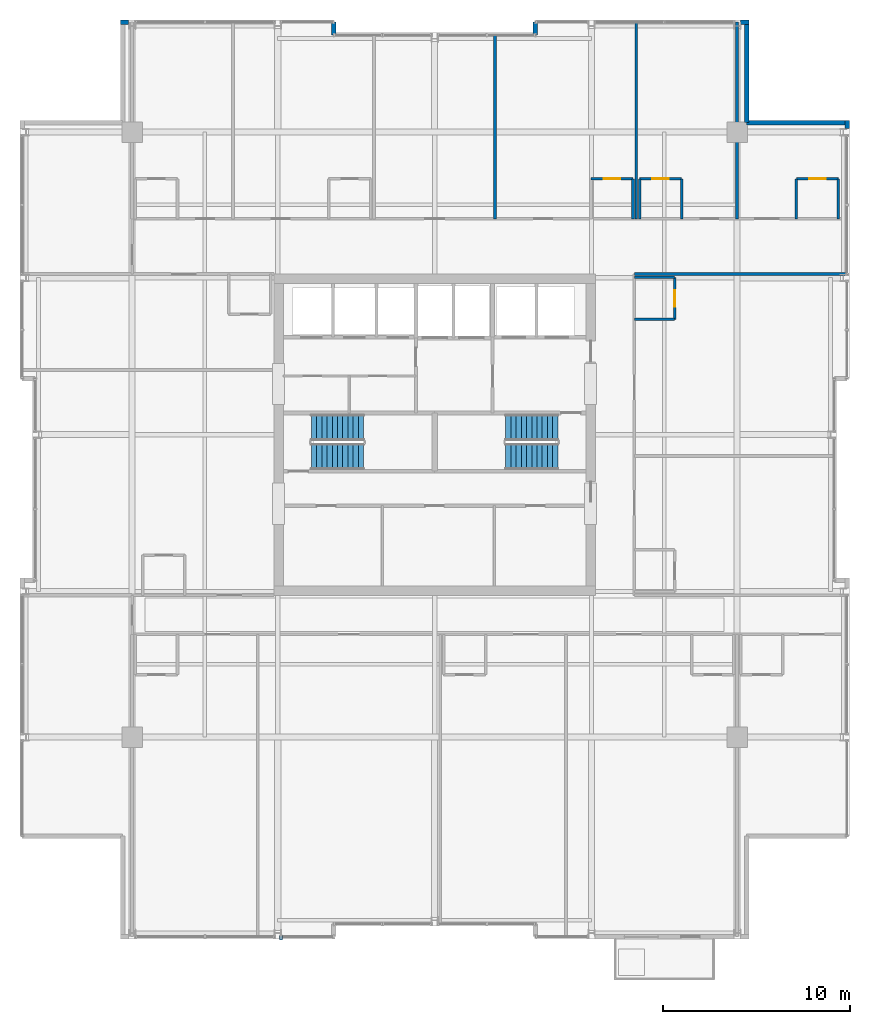
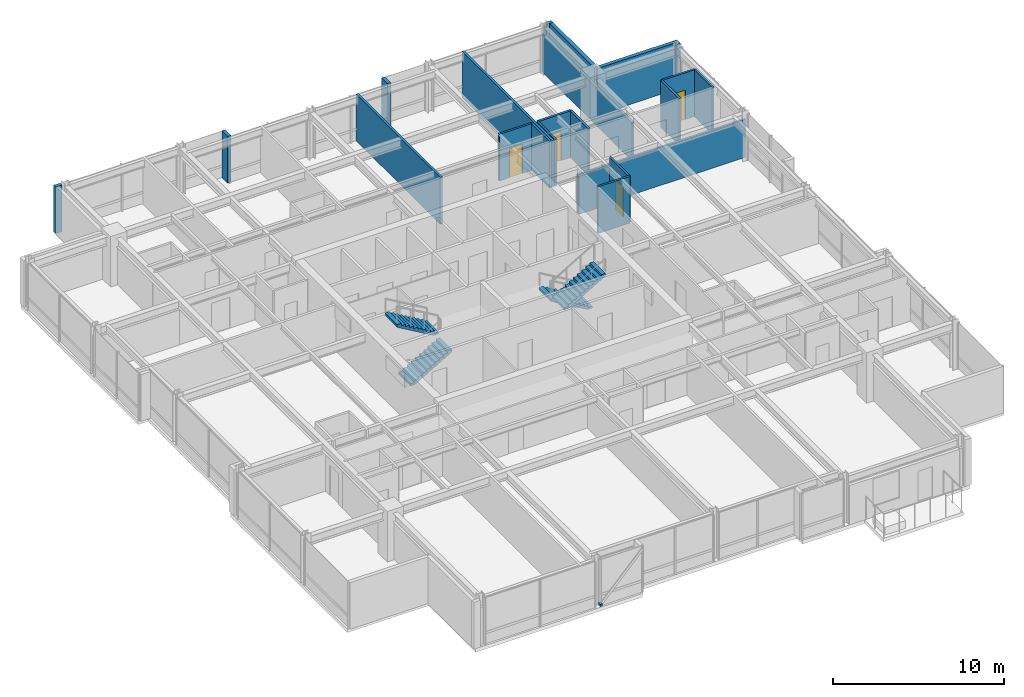
# One storey, part 29 of 32: 22 walls, 4 doors, 4 stair flights, 1 discrete accessory, 4 openings, 2 elements without a shape of their own.
"""IFC4 building model written with IfcOpenShell, lengths in metres."""

from ifc_helpers import new_model, si_unit, direction, frame, frame_2d, origin, origin_2d, place, context, subcontext, project, spatial, polyline, rectangle, outline, extrude, material, layer, layer_set, type_object, element, fill, aggregate, save


model = new_model("IFC4")

# Units and contexts
model_context = context("Model", 3, precision=1e-05, world=origin(), true_north=direction((0.0, 1.0)))
body_context = subcontext(model_context, "Body", "Model", "MODEL_VIEW")
ifc_project = project(units=[si_unit("LENGTHUNIT", "METRE"), si_unit("AREAUNIT", "SQUARE_METRE"), si_unit("VOLUMEUNIT", "CUBIC_METRE"), si_unit("PLANEANGLEUNIT", "RADIAN"), si_unit("MASSUNIT", "GRAM", prefix="KILO")], contexts=[model_context])

# Site, building, storey
site_placement = place(None, origin())
site = spatial("IfcSite", under=ifc_project, at=site_placement, CompositionType="ELEMENT")
building_placement = place(site_placement, origin())
building = spatial("IfcBuilding", under=site, at=building_placement, Name="Drelvath Grand Hotel", CompositionType="ELEMENT")
storey_placement = place(building_placement, frame((0.0, 0.0, 237.5)))
storey = spatial("IfcBuildingStorey", under=building, at=storey_placement, Name="L62", CompositionType="ELEMENT", Elevation=237.5)

# Walls
ifc_material_1 = material(Name="Gypsum Fireboard Partition")
ifc_layer_1 = layer(ifc_material_1, 0.135009765625)
ifc_layer_set_1 = layer_set([ifc_layer_1], Name="Gypsum Fireboard Partition")
wall_type_1 = type_object("IfcWallType", Name="Corridor Fire Barrier Wall 135", PredefinedType="PARTITIONING", material=ifc_layer_set_1)
wall_1_placement = place(storey_placement, frame((10.699951171875, 35.60009765625, 0.0), z_axis=(0.0, 0.0, 1.0), x_axis=(1.0, 0.0, 0.0)))
element("IfcWall", 1, at=wall_1_placement, inside=storey, type_object=wall_type_1, Name="L62 North Gallery Inner East Wall", PredefinedType="PARTITIONING", context=body_context, shape_type="SweptSolid", body=[
    extrude(rectangle(XDim=11.380126953125, YDim=0.135009765625, at=frame_2d((5.68994140625, 0.0))), origin(), (0.0, 0.0, 1.0), 2.71728515625),
])
ifc_material_2 = material(Name="Moisture-Resistant Gypsum Board")
ifc_layer_2 = layer(ifc_material_2, 0.139892578125)
ifc_layer_set_2 = layer_set([ifc_layer_2], Name="Moisture-Resistant Gypsum Board")
wall_type_2 = type_object("IfcWallType", Name="En-Suite Plumbing Wall 140", PredefinedType="PLUMBINGWALL", material=ifc_layer_set_2)
for number, where, z_axis, x_axis, name in (
    (2, (19.3701171875, 38.550048828125, 0.0), (0.0, 0.0, 1.0), (0.0, 1.0, 0.0), "L62 En-Suite Left Wall"),
    (3, (21.6201171875, 38.550048828125, 0.0), (0.0, 0.0, 1.0), (0.0, 1.0, 0.0), "L62 En-Suite Right Wall"),
):
    element("IfcWall", number, at=place(storey_placement, frame(where, z_axis=z_axis, x_axis=x_axis)), inside=storey, type_object=wall_type_2, Name=name, PredefinedType="PLUMBINGWALL", context=body_context, shape_type="SweptSolid", body=[
        extrude(rectangle(XDim=2.14990234375, YDim=0.139892578125, at=frame_2d((1.074951171875, 0.0))), origin(), (0.0, 0.0, 1.0), 3.340087890625),
    ])

# Wall, opening, door
wall_2_placement = place(storey_placement, frame((19.3701171875, 40.699951171875, 0.0), z_axis=(0.0, 0.0, 1.0), x_axis=(1.0, 0.0, 0.0)))
wall_2 = element("IfcWall", 4, at=wall_2_placement, inside=storey, type_object=wall_type_2, Name="L62 En-Suite Front Wall", PredefinedType="PLUMBINGWALL", context=body_context, shape_type="SweptSolid", body=[
    extrude(rectangle(XDim=2.25, YDim=0.139892578125, at=frame_2d((1.125, 0.0))), origin(), (0.0, 0.0, 1.0), 3.340087890625),
])
opening_1_placement = place(wall_2_placement, frame((0.68505859375, 0.0, 0.0)))
opening_1 = element("IfcOpeningElement", 5, at=opening_1_placement, cuts=wall_2, Name="Opening D-T4G4-023", PredefinedType="OPENING", context=body_context, shape_type="SweptSolid", body=[
    extrude(rectangle(XDim=0.8798828125, YDim=2.10009765625, at=frame_2d((0.43994140625, 1.050048828125))), frame((0.0, 0.079833984375, 0.0), z_axis=(0.0, -1.0, 0.0), x_axis=(1.0, 0.0, 0.0)), (0.0, 0.0, 1.0), 0.159912109375),
])
ifc_material_3 = material(Name="Hardwood Walnut Timber", Category="wood")
door_type = type_object("IfcDoorType", Name="En-Suite Bathroom Door 880x2100", OperationType="NOTDEFINED", PredefinedType="DOOR", material=ifc_material_3)
door_1_placement = place(opening_1_placement, origin())
door_1 = element("IfcDoor", 6, at=door_1_placement, inside=storey, type_object=door_type, Name="L62 En-Suite Bathroom Door", OperationType="SINGLE_SWING_RIGHT", OverallHeight=2.10009765625, OverallWidth=0.8798828125, PredefinedType="DOOR", context=body_context, shape_type="SweptSolid", body=[
    extrude(rectangle(XDim=0.8798828125, YDim=2.10009765625, at=frame_2d((0.43994140625, 1.050048828125))), frame((0.0, 0.02490234375, 0.0), z_axis=(0.0, -1.0, 0.0), x_axis=(1.0, 0.0, 0.0)), (0.0, 0.0, 1.0), 0.050048828125),
])
fill(opening_1, door_1)

# Wall
wall_3_placement = place(storey_placement, frame((10.6201171875, 38.550048828125, 0.0), z_axis=(0.0, 0.0, 1.0), x_axis=(0.0, 1.0, 0.0)))
element("IfcWall", 7, at=wall_3_placement, inside=storey, type_object=wall_type_2, Name="L62 En-Suite Right Wall", PredefinedType="PLUMBINGWALL", context=body_context, shape_type="SweptSolid", body=[
    extrude(rectangle(XDim=2.14990234375, YDim=0.139892578125, at=frame_2d((1.074951171875, 0.0))), origin(), (0.0, 0.0, 1.0), 3.340087890625),
])

# Wall, opening, door
wall_4_placement = place(storey_placement, frame((8.3701171875, 40.699951171875, 0.0), z_axis=(0.0, 0.0, 1.0), x_axis=(1.0, 0.0, 0.0)))
wall_4 = element("IfcWall", 8, at=wall_4_placement, inside=storey, type_object=wall_type_2, Name="L62 En-Suite Front Wall", PredefinedType="PLUMBINGWALL", context=body_context, shape_type="SweptSolid", body=[
    extrude(rectangle(XDim=2.25, YDim=0.139892578125, at=frame_2d((1.125, 0.0))), origin(), (0.0, 0.0, 1.0), 3.340087890625),
])
opening_2_placement = place(wall_4_placement, frame((0.68505859375, 0.0, 0.0)))
opening_2 = element("IfcOpeningElement", 9, at=opening_2_placement, cuts=wall_4, Name="Opening D-T4G4-037", PredefinedType="OPENING", context=body_context, shape_type="SweptSolid", body=[
    extrude(rectangle(XDim=0.8798828125, YDim=2.10009765625, at=frame_2d((0.43994140625, 1.050048828125))), frame((0.0, 0.079833984375, 0.0), z_axis=(0.0, -1.0, 0.0), x_axis=(1.0, 0.0, 0.0)), (0.0, 0.0, 1.0), 0.159912109375),
])
door_2_placement = place(opening_2_placement, origin())
door_2 = element("IfcDoor", 10, at=door_2_placement, inside=storey, type_object=door_type, Name="L62 En-Suite Bathroom Door", OperationType="SINGLE_SWING_RIGHT", OverallHeight=2.10009765625, OverallWidth=0.8798828125, PredefinedType="DOOR", context=body_context, shape_type="SweptSolid", body=[
    extrude(rectangle(XDim=0.8798828125, YDim=2.10009765625, at=frame_2d((0.43994140625, 1.050048828125))), frame((0.0, 0.02490234375, 0.0), z_axis=(0.0, -1.0, 0.0), x_axis=(1.0, 0.0, 0.0)), (0.0, 0.0, 1.0), 0.050048828125),
])
fill(opening_2, door_2)

# Walls
for number, where, z_axis, x_axis, name in (
    (11, (10.97998046875, 38.550048828125, 0.0), (0.0, 0.0, 1.0), (0.0, 1.0, 0.0), "L62 En-Suite Left Wall"),
    (12, (13.22998046875, 38.550048828125, 0.0), (0.0, 0.0, 1.0), (0.0, 1.0, 0.0), "L62 En-Suite Right Wall"),
):
    element("IfcWall", number, at=place(storey_placement, frame(where, z_axis=z_axis, x_axis=x_axis)), inside=storey, type_object=wall_type_2, Name=name, PredefinedType="PLUMBINGWALL", context=body_context, shape_type="SweptSolid", body=[
        extrude(rectangle(XDim=2.14990234375, YDim=0.139892578125, at=frame_2d((1.074951171875, 0.0))), origin(), (0.0, 0.0, 1.0), 3.340087890625),
    ])

# Wall, opening, door
wall_5_placement = place(storey_placement, frame((10.97998046875, 40.699951171875, 0.0), z_axis=(0.0, 0.0, 1.0), x_axis=(1.0, 0.0, 0.0)))
wall_5 = element("IfcWall", 13, at=wall_5_placement, inside=storey, type_object=wall_type_2, Name="L62 En-Suite Front Wall", PredefinedType="PLUMBINGWALL", context=body_context, shape_type="SweptSolid", body=[
    extrude(rectangle(XDim=2.25, YDim=0.139892578125, at=frame_2d((1.125, 0.0))), origin(), (0.0, 0.0, 1.0), 3.340087890625),
])
opening_3_placement = place(wall_5_placement, frame((0.68505859375, 0.0, 0.0)))
opening_3 = element("IfcOpeningElement", 14, at=opening_3_placement, cuts=wall_5, Name="Opening D-T4G4-039", PredefinedType="OPENING", context=body_context, shape_type="SweptSolid", body=[
    extrude(rectangle(XDim=0.8798828125, YDim=2.10009765625, at=frame_2d((0.43994140625, 1.050048828125))), frame((0.0, 0.079833984375, 0.0), z_axis=(0.0, -1.0, 0.0), x_axis=(1.0, 0.0, 0.0)), (0.0, 0.0, 1.0), 0.159912109375),
])
door_3_placement = place(opening_3_placement, origin())
door_3 = element("IfcDoor", 15, at=door_3_placement, inside=storey, type_object=door_type, Name="L62 En-Suite Bathroom Door", OperationType="SINGLE_SWING_RIGHT", OverallHeight=2.10009765625, OverallWidth=0.8798828125, PredefinedType="DOOR", context=body_context, shape_type="SweptSolid", body=[
    extrude(rectangle(XDim=0.8798828125, YDim=2.10009765625, at=frame_2d((0.43994140625, 1.050048828125))), frame((0.0, 0.02490234375, 0.0), z_axis=(0.0, -1.0, 0.0), x_axis=(1.0, 0.0, 0.0)), (0.0, 0.0, 1.0), 0.050048828125),
])
fill(opening_3, door_3)

# Walls
wall_6_placement = place(storey_placement, frame((10.699951171875, 33.169921875, 0.0), z_axis=(0.0, 0.0, 1.0), x_axis=(1.0, 0.0, 0.0)))
element("IfcWall", 16, at=wall_6_placement, inside=storey, type_object=wall_type_2, Name="L62 En-Suite Left Wall", PredefinedType="PLUMBINGWALL", context=body_context, shape_type="SweptSolid", body=[
    extrude(rectangle(XDim=2.150146484375, YDim=0.139892578125, at=frame_2d((1.0751953125, 0.0))), origin(), (0.0, 0.0, 1.0), 3.340087890625),
])
wall_7_placement = place(storey_placement, frame((10.699951171875, 35.419921875, 0.0), z_axis=(0.0, 0.0, 1.0), x_axis=(1.0, 0.0, 0.0)))
element("IfcWall", 17, at=wall_7_placement, inside=storey, type_object=wall_type_2, Name="L62 En-Suite Right Wall", PredefinedType="PLUMBINGWALL", context=body_context, shape_type="SweptSolid", body=[
    extrude(rectangle(XDim=2.150146484375, YDim=0.139892578125, at=frame_2d((1.0751953125, 0.0))), origin(), (0.0, 0.0, 1.0), 2.71728515625),
])

# Wall, opening, door
wall_8_placement = place(storey_placement, frame((12.85009765625, 33.169921875, 0.0), z_axis=(0.0, 0.0, 1.0), x_axis=(0.0, 1.0, 0.0)))
wall_8 = element("IfcWall", 18, at=wall_8_placement, inside=storey, type_object=wall_type_2, Name="L62 En-Suite Front Wall", PredefinedType="PLUMBINGWALL", context=body_context, shape_type="SweptSolid", body=[
    extrude(rectangle(XDim=2.25, YDim=0.139892578125, at=frame_2d((1.125, 0.0))), origin(), (0.0, 0.0, 1.0), 3.340087890625),
])
opening_4_placement = place(wall_8_placement, frame((0.68505859375, 0.0, 0.0)))
opening_4 = element("IfcOpeningElement", 19, at=opening_4_placement, cuts=wall_8, Name="Opening D-T4G4-043", PredefinedType="OPENING", context=body_context, shape_type="SweptSolid", body=[
    extrude(rectangle(XDim=0.8798828125, YDim=2.10009765625, at=frame_2d((0.43994140625, 1.050048828125))), frame((0.0, 0.079833984375, 0.0), z_axis=(0.0, -1.0, 0.0), x_axis=(1.0, 0.0, 0.0)), (0.0, 0.0, 1.0), 0.159912109375),
])
door_4_placement = place(opening_4_placement, origin())
door_4 = element("IfcDoor", 20, at=door_4_placement, inside=storey, type_object=door_type, Name="L62 En-Suite Bathroom Door", OperationType="SINGLE_SWING_RIGHT", OverallHeight=2.10009765625, OverallWidth=0.8798828125, PredefinedType="DOOR", context=body_context, shape_type="SweptSolid", body=[
    extrude(rectangle(XDim=0.8798828125, YDim=2.10009765625, at=frame_2d((0.43994140625, 1.050048828125))), frame((0.0, 0.02490234375, 0.0), z_axis=(0.0, -1.0, 0.0), x_axis=(1.0, 0.0, 0.0)), (0.0, 0.0, 1.0), 0.050048828125),
])
fill(opening_4, door_4)

# Walls
ifc_material_4 = material(Name="Gypsum Acoustic Partition")
ifc_layer_3 = layer(ifc_material_4, 0.14990234375)
ifc_layer_set_3 = layer_set([ifc_layer_3], Name="Gypsum Acoustic Partition")
wall_type_3 = type_object("IfcWallType", Name="Guestroom Demising Wall 150", PredefinedType="PARTITIONING", material=ifc_layer_set_3)
wall_9_placement = place(storey_placement, frame((3.239990234375, 38.550048828125, 0.0), z_axis=(0.0, 0.0, 1.0), x_axis=(0.0, 1.0, 0.0)))
element("IfcWall", 21, at=wall_9_placement, inside=storey, type_object=wall_type_3, Name="L62 North Demising 3", PredefinedType="PARTITIONING", context=body_context, shape_type="SweptSolid", body=[
    extrude(rectangle(XDim=9.849853515625, YDim=0.14990234375, at=frame_2d((4.9248046875, 0.0))), origin(), (0.0, 0.0, 1.0), 3.340087890625),
])
wall_10_placement = place(storey_placement, frame((10.800048828125, 38.550048828125, 0.0), z_axis=(0.0, 0.0, 1.0), x_axis=(0.0, 1.0, 0.0)))
element("IfcWall", 22, at=wall_10_placement, inside=storey, type_object=wall_type_3, Name="L62 North Demising 4", PredefinedType="PARTITIONING", context=body_context, shape_type="SweptSolid", body=[
    extrude(rectangle(XDim=10.530029296875, YDim=0.14990234375, at=frame_2d((5.26513671875, 0.0))), origin(), (0.0, 0.0, 1.0), 3.340087890625),
])
ifc_layer_4 = layer(ifc_material_4, 0.1650390625)
ifc_layer_set_4 = layer_set([ifc_layer_4], Name="Gypsum Acoustic Partition")
wall_type_4 = type_object("IfcWallType", Name="Suite Demising Wall 165", PredefinedType="PARTITIONING", material=ifc_layer_set_4)
wall_11_placement = place(storey_placement, frame((16.199951171875, 38.550048828125, 0.0), z_axis=(0.0, 0.0, 1.0), x_axis=(0.0, 1.0, 0.0)))
element("IfcWall", 23, at=wall_11_placement, inside=storey, type_object=wall_type_4, Name="L62 NE Suite Wall", PredefinedType="PARTITIONING", context=body_context, shape_type="SweptSolid", body=[
    extrude(rectangle(XDim=10.530029296875, YDim=0.1650390625, at=frame_2d((5.26513671875, 0.0))), origin(), (0.0, 0.0, 1.0), 2.7138671875),
])
ifc_material_5 = material(Name="Pale-Metal Insulated Aluminium Spandrel Assembly", Category="aluminium")
ifc_layer_5 = layer(ifc_material_5, 0.239990234375)
ifc_layer_set_5 = layer_set([ifc_layer_5], Name="Pale-Metal Insulated Aluminium Spandrel Assembly")
wall_type_5 = type_object("IfcWallType", Name="Tower Insulated Metal Spandrel Closure Wall 240", PredefinedType="STANDARD", material=ifc_layer_set_5)
for number, where, z_axis, x_axis, name in (
    (24, (22.080078125, 43.820068359375, 0.0), (0.0, 0.0, 1.0), (0.0, -1.0, 0.0), "L62 Corner Pier Spandrel Wall EN3"),
    (25, (-16.820068359375, 49.080078125, 0.0), (0.0, 0.0, 1.0), (1.0, 0.0, 0.0), "L62 Corner Pier Spandrel Wall NW1"),
    (26, (16.378173828125, 49.080078125, 0.0), (0.0, 0.0, 1.0), (1.0, 0.0, 0.0), "L62 Corner Pier Spandrel Wall NE3"),
):
    element("IfcWall", number, at=place(storey_placement, frame(where, z_axis=z_axis, x_axis=x_axis)), inside=storey, type_object=wall_type_5, Name=name, PredefinedType="STANDARD", context=body_context, shape_type="SweptSolid", body=[
        extrude(rectangle(XDim=0.44189453125, YDim=0.239990234375, at=frame_2d((0.220947265625, 0.0))), origin(), (0.0, 0.0, 1.0), 3.340087890625),
    ])
for number, where, z_axis, x_axis, name in (
    (27, (16.699951171875, 48.9599609375, 0.0), (0.0, 0.0, 1.0), (0.0, -1.0, 0.0), "L62 Notched Corner Return Spandrel Wall CNE1"),
    (28, (16.699951171875, 43.699951171875, 0.0), (0.0, 0.0, 1.0), (1.0, 0.0, 0.0), "L62 Notched Corner Return Spandrel Wall CNE2"),
):
    element("IfcWall", number, at=place(storey_placement, frame(where, z_axis=z_axis, x_axis=x_axis)), inside=storey, type_object=wall_type_5, Name=name, PredefinedType="STANDARD", context=body_context, shape_type="SweptSolid", body=[
        extrude(rectangle(XDim=5.260009765625, YDim=0.239990234375, at=frame_2d((2.6298828125, 0.0))), origin(), (0.0, 0.0, 1.0), 3.340087890625),
    ])
for number, where, z_axis, x_axis, name in (
    (29, (-5.39990234375, 49.080078125, 0.0), (0.0, 0.0, 1.0), (0.0, -1.0, 0.0), "L62 Notched Corner Return Spandrel Wall RN1"),
    (30, (5.39990234375, 48.39990234375, 0.0), (0.0, 0.0, 1.0), (0.0, 1.0, 0.0), "L62 Notched Corner Return Spandrel Wall RN2"),
):
    element("IfcWall", number, at=place(storey_placement, frame(where, z_axis=z_axis, x_axis=x_axis)), inside=storey, type_object=wall_type_5, Name=name, PredefinedType="STANDARD", context=body_context, shape_type="SweptSolid", body=[
        extrude(rectangle(XDim=0.68017578125, YDim=0.239990234375, at=frame_2d((0.340087890625, 0.0))), origin(), (0.0, 0.0, 1.0), 3.340087890625),
    ])

# Stair, stair flights
ifc_material_6 = material(Name="Concrete C40/50", Category="concrete")
stair_type = type_object("IfcStairType", Name="Dogleg Exit Stair W1400-R163.6", PredefinedType="HALF_TURN_STAIR", material=ifc_material_6)
stair_1_placement = place(storey_placement, origin())
stair_1 = element("IfcStair", 31, at=stair_1_placement, inside=storey, type_object=stair_type, Name="L62 Core Exit Stair ST-1", PredefinedType="HALF_TURN_STAIR")
stair_flight_type = type_object("IfcStairFlightType", Name="Concrete Stair Flight W1400-R163.6", PredefinedType="STRAIGHT", material=ifc_material_6)
stair_flight_1_placement = place(storey_placement, frame((-6.60009765625, 25.820068359375, 0.0), z_axis=(0.0, 0.0, 1.0), x_axis=(1.0, 0.0, 0.0)))
stair_flight_1 = element("IfcStairFlight", 32, at=stair_flight_1_placement, type_object=stair_flight_type, Name="ST-1 flight 1", NumberOfRisers=11, NumberOfTreads=10, PredefinedType="STRAIGHT", RiserHeight=0.163636364, TreadLength=0.28, context=body_context, shape_type="SweptSolid", body=[
    extrude(outline(polyline([(0.0, 0.0), (0.0, 0.16357421875), (0.280029296875, 0.16357421875), (0.280029296875, 0.327392578125), (0.56005859375, 0.327392578125), (0.56005859375, 0.490966796875), (0.840087890625, 0.490966796875), (0.840087890625, 0.654541015625), (1.1201171875, 0.654541015625), (1.1201171875, 0.818115234375), (1.39990234375, 0.818115234375), (1.39990234375, 0.98193359375), (1.679931640625, 0.98193359375), (1.679931640625, 1.1455078125), (1.9599609375, 1.1455078125), (1.9599609375, 1.30908203125), (2.239990234375, 1.30908203125), (2.239990234375, 1.47265625), (2.52001953125, 1.47265625), (2.52001953125, 1.636474609375), (2.800048828125, 1.636474609375), (2.800048828125, 1.800048828125), (2.800048828125, 1.451171875), (0.31689453125, 0.0), (0.0, 0.0)])), frame((0.0, 0.699951171875, 0.0), z_axis=(0.0, -1.0, 0.0), x_axis=(1.0, 0.0, 0.0)), (0.0, 0.0, 1.0), 1.39990234375),
])
stair_flight_2_placement = place(storey_placement, frame((-3.800048828125, 27.3798828125, 1.800048828125), z_axis=(0.0, 0.0, 1.0), x_axis=(-1.0, 0.0, 0.0)))
stair_flight_2 = element("IfcStairFlight", 33, at=stair_flight_2_placement, type_object=stair_flight_type, Name="ST-1 flight 2", NumberOfRisers=11, NumberOfTreads=10, PredefinedType="STRAIGHT", RiserHeight=0.163636364, TreadLength=0.28, context=body_context, shape_type="SweptSolid", body=[
    extrude(outline(polyline([(0.0, 0.0), (0.0, 0.16357421875), (0.280029296875, 0.16357421875), (0.280029296875, 0.327392578125), (0.56005859375, 0.327392578125), (0.56005859375, 0.490966796875), (0.840087890625, 0.490966796875), (0.840087890625, 0.654541015625), (1.1201171875, 0.654541015625), (1.1201171875, 0.818115234375), (1.39990234375, 0.818115234375), (1.39990234375, 0.98193359375), (1.679931640625, 0.98193359375), (1.679931640625, 1.1455078125), (1.9599609375, 1.1455078125), (1.9599609375, 1.30908203125), (2.239990234375, 1.30908203125), (2.239990234375, 1.47265625), (2.52001953125, 1.47265625), (2.52001953125, 1.636474609375), (2.800048828125, 1.636474609375), (2.800048828125, 1.800048828125), (2.800048828125, 1.451171875), (0.31689453125, 0.0), (0.0, 0.0)])), frame((0.0, 0.699951171875, 0.0), z_axis=(0.0, -1.0, 0.0), x_axis=(1.0, 0.0, 0.0)), (0.0, 0.0, 1.0), 1.39990234375),
])
aggregate(stair_1, [stair_flight_1, stair_flight_2])

stair_2_placement = place(storey_placement, origin())
stair_2 = element("IfcStair", 34, at=stair_2_placement, inside=storey, type_object=stair_type, Name="L62 Core Exit Stair ST-2", PredefinedType="HALF_TURN_STAIR")
stair_flight_3_placement = place(storey_placement, frame((6.60009765625, 27.3798828125, 0.0), z_axis=(0.0, 0.0, 1.0), x_axis=(-1.0, 0.0, 0.0)))
stair_flight_3 = element("IfcStairFlight", 35, at=stair_flight_3_placement, type_object=stair_flight_type, Name="ST-2 flight 1", NumberOfRisers=11, NumberOfTreads=10, PredefinedType="STRAIGHT", RiserHeight=0.163636364, TreadLength=0.28, context=body_context, shape_type="SweptSolid", body=[
    extrude(outline(polyline([(0.0, 0.0), (0.0, 0.16357421875), (0.280029296875, 0.16357421875), (0.280029296875, 0.327392578125), (0.56005859375, 0.327392578125), (0.56005859375, 0.490966796875), (0.840087890625, 0.490966796875), (0.840087890625, 0.654541015625), (1.1201171875, 0.654541015625), (1.1201171875, 0.818115234375), (1.39990234375, 0.818115234375), (1.39990234375, 0.98193359375), (1.679931640625, 0.98193359375), (1.679931640625, 1.1455078125), (1.9599609375, 1.1455078125), (1.9599609375, 1.30908203125), (2.239990234375, 1.30908203125), (2.239990234375, 1.47265625), (2.52001953125, 1.47265625), (2.52001953125, 1.636474609375), (2.800048828125, 1.636474609375), (2.800048828125, 1.800048828125), (2.800048828125, 1.451171875), (0.31689453125, 0.0), (0.0, 0.0)])), frame((0.0, 0.699951171875, 0.0), z_axis=(0.0, -1.0, 0.0), x_axis=(1.0, 0.0, 0.0)), (0.0, 0.0, 1.0), 1.39990234375),
])
stair_flight_4_placement = place(storey_placement, frame((3.800048828125, 25.820068359375, 1.800048828125), z_axis=(0.0, 0.0, 1.0), x_axis=(1.0, 0.0, 0.0)))
stair_flight_4 = element("IfcStairFlight", 36, at=stair_flight_4_placement, type_object=stair_flight_type, Name="ST-2 flight 2", NumberOfRisers=11, NumberOfTreads=10, PredefinedType="STRAIGHT", RiserHeight=0.163636364, TreadLength=0.28, context=body_context, shape_type="SweptSolid", body=[
    extrude(outline(polyline([(0.0, 0.0), (0.0, 0.16357421875), (0.280029296875, 0.16357421875), (0.280029296875, 0.327392578125), (0.56005859375, 0.327392578125), (0.56005859375, 0.490966796875), (0.840087890625, 0.490966796875), (0.840087890625, 0.654541015625), (1.1201171875, 0.654541015625), (1.1201171875, 0.818115234375), (1.39990234375, 0.818115234375), (1.39990234375, 0.98193359375), (1.679931640625, 0.98193359375), (1.679931640625, 1.1455078125), (1.9599609375, 1.1455078125), (1.9599609375, 1.30908203125), (2.239990234375, 1.30908203125), (2.239990234375, 1.47265625), (2.52001953125, 1.47265625), (2.52001953125, 1.636474609375), (2.800048828125, 1.636474609375), (2.800048828125, 1.800048828125), (2.800048828125, 1.451171875), (0.31689453125, 0.0), (0.0, 0.0)])), frame((0.0, 0.699951171875, 0.0), z_axis=(0.0, -1.0, 0.0), x_axis=(1.0, 0.0, 0.0)), (0.0, 0.0, 1.0), 1.39990234375),
])
aggregate(stair_2, [stair_flight_3, stair_flight_4])

# Discrete accessory
ifc_material_7 = material(Name="Stainless Steel Grade 316", Category="steel")
discrete_accessory_type = type_object("IfcDiscreteAccessoryType", Name="Curtain Wall Fin Mounting Bracket Cleat", PredefinedType="BRACKET", material=ifc_material_7)
discrete_accessory_placement = place(storey_placement, frame((-8.2216796875, 0.06005859375, 0.10009765625), z_axis=(0.0, 0.0, 1.0), x_axis=(-1.0, 0.0, 0.0)))
element("IfcDiscreteAccessory", 37, at=discrete_accessory_placement, inside=storey, type_object=discrete_accessory_type, Name="L62 Fin Mounting Bracket CW05-L62-SW3-1", PredefinedType="BRACKET", context=body_context, shape_type="SweptSolid", body=[
    extrude(rectangle(XDim=0.159912109375, YDim=0.239990234375, at=origin_2d()), origin(), (0.0, 0.0, 1.0), 0.159912109375),
])

save(model, "model.ifc")
